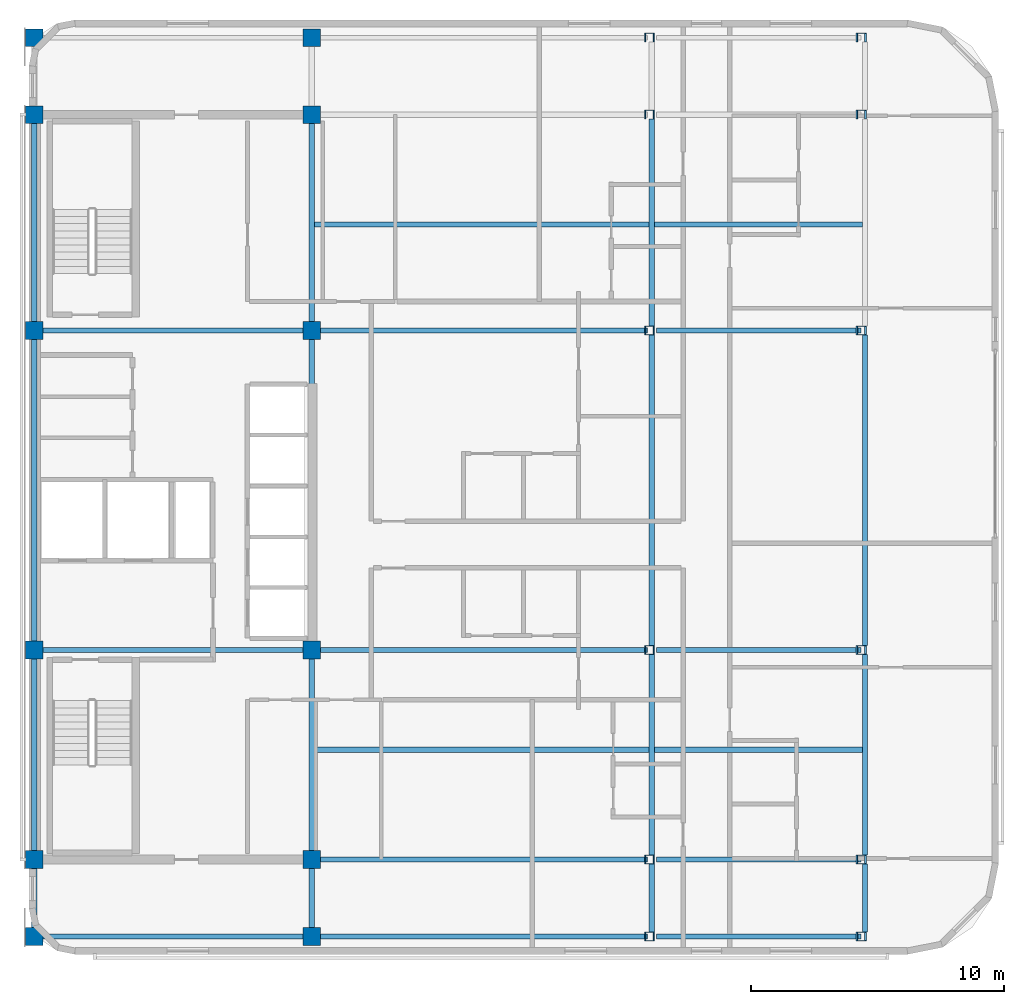
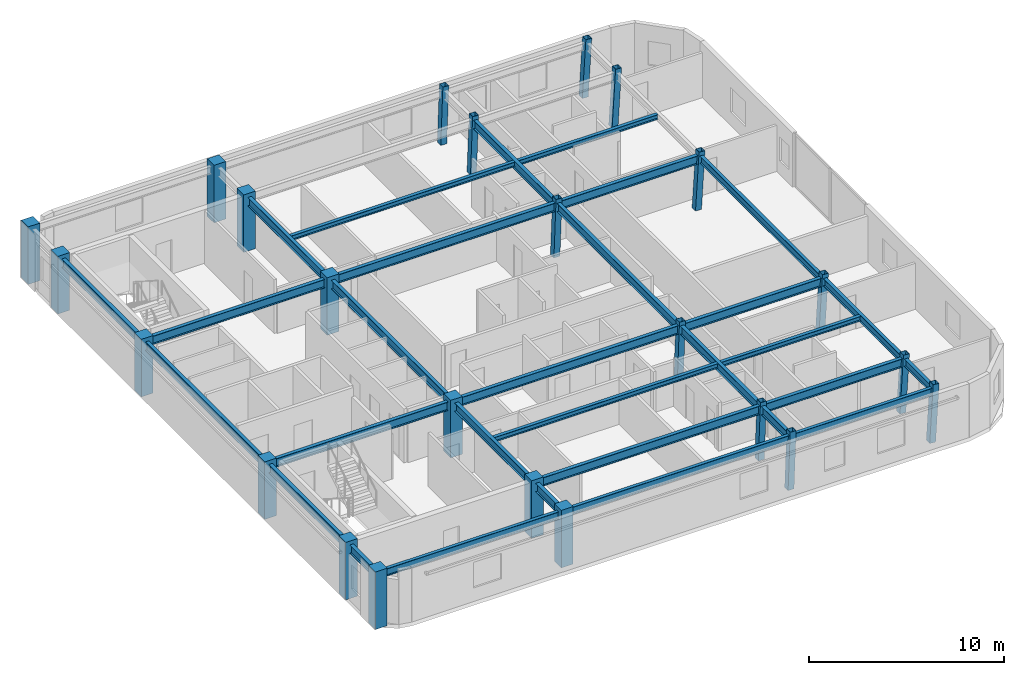
# One storey, part 1 of 10: 30 beams, 24 columns.
"""IFC4 building model written with IfcOpenShell, lengths in metres."""

from ifc_helpers import new_model, si_unit, direction, frame, origin, origin_2d, place, context, subcontext, project, spatial, rectangle, hollow_rectangle, i_section, extrude, material, material_profile, profile_set, type_object, element, save


model = new_model("IFC4")

# Units and contexts
model_context = context("Model", 3, precision=1e-05, world=origin(), true_north=direction((0.0, 1.0)))
body_context = subcontext(model_context, "Body", "Model", "MODEL_VIEW")
ifc_project = project(units=[si_unit("LENGTHUNIT", "METRE"), si_unit("AREAUNIT", "SQUARE_METRE"), si_unit("VOLUMEUNIT", "CUBIC_METRE"), si_unit("PLANEANGLEUNIT", "RADIAN"), si_unit("MASSUNIT", "GRAM", prefix="KILO")], contexts=[model_context])

# Site, building, storey
site_placement = place(None, origin())
site = spatial("IfcSite", under=ifc_project, at=site_placement, CompositionType="ELEMENT")
building_placement = place(site_placement, origin())
building = spatial("IfcBuilding", under=site, at=building_placement, Name="Ochreholt Gables", CompositionType="ELEMENT")
storey_placement = place(building_placement, frame((0.0, 0.0, 246.0)))
storey = spatial("IfcBuildingStorey", under=building, at=storey_placement, Name="L64", CompositionType="ELEMENT", Elevation=246.0)

# Columns
ifc_material_1 = material(Name="Steel CSA G40.21 350W", Category="steel")
ifc_material_profile_1 = material_profile(ifc_material_1, hollow_rectangle(XDim=0.35595703125, YDim=0.35595703125, WallThickness=0.01611328125, at=origin_2d()), Name="HSS356X356X16")
ifc_profile_set_1 = profile_set([ifc_material_profile_1], Name="Steel CSA G40.21 350W")
column_type_1 = type_object("IfcColumnType", Name="COL-HSS356-RAK", PredefinedType="COLUMN", material=ifc_profile_set_1)
for number, where, z_axis, x_axis, name in (
    (1, (48.5458984375, 9.25, 0.0), (0.035038826602, 0.0, 0.999385951788), (0.0, 1.0, 0.0), "L64 Column EMY2"),
    (2, (48.5458984375, 17.550048828125, 0.0), (0.035038826602, 0.0, 0.999385951788), (0.0, 1.0, 0.0), "L64 Column EMY3"),
    (3, (48.5458984375, 30.199951171875, 0.0), (0.035038826602, 0.0, 0.999385951788), (0.0, 1.0, 0.0), "L64 Column EMY4"),
    (4, (48.5458984375, 38.75, 0.0), (0.035038826602, 0.0, 0.999385951788), (0.0, 1.0, 0.0), "L64 Column EMY5"),
):
    element("IfcColumn", number, at=place(storey_placement, frame(where, z_axis=z_axis, x_axis=x_axis)), inside=storey, type_object=column_type_1, Name=name, PredefinedType="COLUMN", context=body_context, shape_type="SweptSolid", body=[
        extrude(hollow_rectangle(XDim=0.35595703125, YDim=0.35595703125, WallThickness=0.01611328125, at=origin_2d()), origin(), (0.0, 0.0, 1.0), 3.602294921875),
    ])
ifc_material_profile_2 = material_profile(ifc_material_1, hollow_rectangle(XDim=0.35595703125, YDim=0.35595703125, WallThickness=0.01611328125, at=origin_2d()), Name="HSS356X356X16")
ifc_profile_set_2 = profile_set([ifc_material_profile_2], Name="Steel CSA G40.21 350W")
column_type_2 = type_object("IfcColumnType", Name="COL-HSS356-RAKE", PredefinedType="COLUMN", material=ifc_profile_set_2)
for number, where, z_axis, x_axis, name in (
    (5, (48.5458984375, 6.199951171875, 0.0), (0.035038826602, 0.0, 0.999385951788), (0.0, 1.0, 0.0), "L64 Column EMY1"),
    (6, (48.5458984375, 41.800048828125, 0.0), (0.035038826602, 0.0, 0.999385951788), (0.0, 1.0, 0.0), "L64 Column EMY6"),
):
    element("IfcColumn", number, at=place(storey_placement, frame(where, z_axis=z_axis, x_axis=x_axis)), inside=storey, type_object=column_type_2, Name=name, PredefinedType="COLUMN", context=body_context, shape_type="SweptSolid", body=[
        extrude(hollow_rectangle(XDim=0.35595703125, YDim=0.35595703125, WallThickness=0.01611328125, at=origin_2d()), origin(), (0.0, 0.0, 1.0), 3.602294921875),
    ])
for number, where, z_axis, x_axis, name in (
    (7, (56.9248046875, 6.199951171875, 0.0), (0.057884606321, 0.0, 0.998323280481), (0.0, 1.0, 0.0), "L64 Column EEY1"),
    (8, (56.9248046875, 9.25, 0.0), (0.057884606321, 0.0, 0.998323280481), (0.0, 1.0, 0.0), "L64 Column EEY2"),
    (9, (56.9248046875, 17.550048828125, 0.0), (0.057884606321, 0.0, 0.998323280481), (0.0, 1.0, 0.0), "L64 Column EEY3"),
    (10, (56.9248046875, 30.199951171875, 0.0), (0.057884606321, 0.0, 0.998323280481), (0.0, 1.0, 0.0), "L64 Column EEY4"),
    (11, (56.9248046875, 38.75, 0.0), (0.057884606321, 0.0, 0.998323280481), (0.0, 1.0, 0.0), "L64 Column EEY5"),
    (12, (56.9248046875, 41.800048828125, 0.0), (0.057884606321, 0.0, 0.998323280481), (0.0, 1.0, 0.0), "L64 Column EEY6"),
):
    element("IfcColumn", number, at=place(storey_placement, frame(where, z_axis=z_axis, x_axis=x_axis)), inside=storey, type_object=column_type_2, Name=name, PredefinedType="COLUMN", context=body_context, shape_type="SweptSolid", body=[
        extrude(hollow_rectangle(XDim=0.35595703125, YDim=0.35595703125, WallThickness=0.01611328125, at=origin_2d()), origin(), (0.0, 0.0, 1.0), 3.606201171875),
    ])
ifc_material_2 = material(Name="Concrete 50 MPa", Category="concrete")
ifc_material_profile_3 = material_profile(ifc_material_2, rectangle(XDim=0.699951171875, YDim=0.699951171875, at=origin_2d()), Name="RC700X700")
ifc_profile_set_3 = profile_set([ifc_material_profile_3], Name="Concrete 50 MPa")
column_type_3 = type_object("IfcColumnType", Name="COL-RC700-EXT", PredefinedType="COLUMN", material=ifc_profile_set_3)
for number, where, z_axis, x_axis, name in (
    (13, (24.199951171875, 6.199951171875, 0.0), (0.0, 0.0, 1.0), (1.0, 0.0, 0.0), "L64 Column C1Y1"),
    (14, (24.199951171875, 9.25, 0.0), (0.0, 0.0, 1.0), (1.0, 0.0, 0.0), "L64 Column C1Y2"),
    (15, (24.199951171875, 17.550048828125, 0.0), (0.0, 0.0, 1.0), (1.0, 0.0, 0.0), "L64 Column C1Y3"),
    (16, (24.199951171875, 30.199951171875, 0.0), (0.0, 0.0, 1.0), (1.0, 0.0, 0.0), "L64 Column C1Y4"),
    (17, (24.199951171875, 38.75, 0.0), (0.0, 0.0, 1.0), (1.0, 0.0, 0.0), "L64 Column C1Y5"),
    (18, (24.199951171875, 41.800048828125, 0.0), (0.0, 0.0, 1.0), (1.0, 0.0, 0.0), "L64 Column C1Y6"),
    (19, (35.199951171875, 6.199951171875, 0.0), (0.0, 0.0, 1.0), (1.0, 0.0, 0.0), "L64 Column C2Y1"),
    (20, (35.199951171875, 41.800048828125, 0.0), (0.0, 0.0, 1.0), (1.0, 0.0, 0.0), "L64 Column C2Y6"),
):
    element("IfcColumn", number, at=place(storey_placement, frame(where, z_axis=z_axis, x_axis=x_axis)), inside=storey, type_object=column_type_3, Name=name, PredefinedType="COLUMN", context=body_context, shape_type="SweptSolid", body=[
        extrude(rectangle(XDim=0.699951171875, YDim=0.699951171875, at=origin_2d()), origin(), (0.0, 0.0, 1.0), 3.60009765625),
    ])
ifc_material_profile_4 = material_profile(ifc_material_2, rectangle(XDim=0.699951171875, YDim=0.699951171875, at=origin_2d()), Name="RC700X700")
ifc_profile_set_4 = profile_set([ifc_material_profile_4], Name="Concrete 50 MPa")
column_type_4 = type_object("IfcColumnType", Name="COL-RC700-INT", PredefinedType="COLUMN", material=ifc_profile_set_4)
for number, where, z_axis, x_axis, name in (
    (21, (35.199951171875, 9.25, 0.0), (0.0, 0.0, 1.0), (1.0, 0.0, 0.0), "L64 Column C2Y2"),
    (22, (35.199951171875, 17.550048828125, 0.0), (0.0, 0.0, 1.0), (1.0, 0.0, 0.0), "L64 Column C2Y3"),
    (23, (35.199951171875, 30.199951171875, 0.0), (0.0, 0.0, 1.0), (1.0, 0.0, 0.0), "L64 Column C2Y4"),
    (24, (35.199951171875, 38.75, 0.0), (0.0, 0.0, 1.0), (1.0, 0.0, 0.0), "L64 Column C2Y5"),
):
    element("IfcColumn", number, at=place(storey_placement, frame(where, z_axis=z_axis, x_axis=x_axis)), inside=storey, type_object=column_type_4, Name=name, PredefinedType="COLUMN", context=body_context, shape_type="SweptSolid", body=[
        extrude(rectangle(XDim=0.699951171875, YDim=0.699951171875, at=origin_2d()), origin(), (0.0, 0.0, 1.0), 3.60009765625),
    ])

# Beams
ifc_material_profile_5 = material_profile(ifc_material_1, i_section(OverallWidth=0.2109375, OverallDepth=0.5390625, WebThickness=0.01171875, FlangeThickness=0.018798828125, at=origin_2d()), Name="W530X109")
ifc_profile_set_5 = profile_set([ifc_material_profile_5], Name="Steel CSA G40.21 350W")
beam_type_1 = type_object("IfcBeamType", Name="BM-G-W530A", PredefinedType="BEAM", material=ifc_profile_set_5)
beam_1_placement = place(storey_placement, frame((35.549560546875, 9.25, 3.090576171875), z_axis=(1.0, 0.0, 0.0), x_axis=(0.0, 1.0, 0.0)))
element("IfcBeam", 25, at=beam_1_placement, inside=storey, type_object=beam_type_1, Name="L64 Beam TBG-L64-C2EM-Y2", PredefinedType="BEAM", context=body_context, shape_type="SweptSolid", body=[
    extrude(i_section(OverallWidth=0.2109375, OverallDepth=0.5390625, WebThickness=0.01171875, FlangeThickness=0.018798828125, at=origin_2d()), origin(), (0.0, 0.0, 1.0), 12.94482421875),
])
beam_2_placement = place(storey_placement, frame((48.849609375, 9.25, 3.090576171875), z_axis=(1.0, 0.0, 0.0), x_axis=(0.0, 1.0, 0.0)))
element("IfcBeam", 26, at=beam_2_placement, inside=storey, type_object=beam_type_1, Name="L64 Beam TBG-L64-EMEE-Y2", PredefinedType="BEAM", context=body_context, shape_type="SweptSolid", body=[
    extrude(i_section(OverallWidth=0.2109375, OverallDepth=0.5390625, WebThickness=0.01171875, FlangeThickness=0.018798828125, at=origin_2d()), origin(), (0.0, 0.0, 1.0), 8.1064453125),
])
beam_3_placement = place(storey_placement, frame((24.549560546875, 17.550048828125, 3.090576171875), z_axis=(1.0, 0.0, 0.0), x_axis=(0.0, 1.0, 0.0)))
element("IfcBeam", 27, at=beam_3_placement, inside=storey, type_object=beam_type_1, Name="L64 Beam TBG-L64-C1C2-Y3", PredefinedType="BEAM", context=body_context, shape_type="SweptSolid", body=[
    extrude(i_section(OverallWidth=0.2109375, OverallDepth=0.5390625, WebThickness=0.01171875, FlangeThickness=0.018798828125, at=origin_2d()), origin(), (0.0, 0.0, 1.0), 10.30078125),
])
beam_4_placement = place(storey_placement, frame((35.549560546875, 17.550048828125, 3.090576171875), z_axis=(1.0, 0.0, 0.0), x_axis=(0.0, 1.0, 0.0)))
element("IfcBeam", 28, at=beam_4_placement, inside=storey, type_object=beam_type_1, Name="L64 Beam TBG-L64-C2EM-Y3", PredefinedType="BEAM", context=body_context, shape_type="SweptSolid", body=[
    extrude(i_section(OverallWidth=0.2109375, OverallDepth=0.5390625, WebThickness=0.01171875, FlangeThickness=0.018798828125, at=origin_2d()), origin(), (0.0, 0.0, 1.0), 12.94482421875),
])
beam_5_placement = place(storey_placement, frame((48.849609375, 17.550048828125, 3.090576171875), z_axis=(1.0, 0.0, 0.0), x_axis=(0.0, 1.0, 0.0)))
element("IfcBeam", 29, at=beam_5_placement, inside=storey, type_object=beam_type_1, Name="L64 Beam TBG-L64-EMEE-Y3", PredefinedType="BEAM", context=body_context, shape_type="SweptSolid", body=[
    extrude(i_section(OverallWidth=0.2109375, OverallDepth=0.5390625, WebThickness=0.01171875, FlangeThickness=0.018798828125, at=origin_2d()), origin(), (0.0, 0.0, 1.0), 8.1064453125),
])
beam_6_placement = place(storey_placement, frame((24.549560546875, 30.199951171875, 3.090576171875), z_axis=(1.0, 0.0, 0.0), x_axis=(0.0, 1.0, 0.0)))
element("IfcBeam", 30, at=beam_6_placement, inside=storey, type_object=beam_type_1, Name="L64 Beam TBG-L64-C1C2-Y4", PredefinedType="BEAM", context=body_context, shape_type="SweptSolid", body=[
    extrude(i_section(OverallWidth=0.2109375, OverallDepth=0.5390625, WebThickness=0.01171875, FlangeThickness=0.018798828125, at=origin_2d()), origin(), (0.0, 0.0, 1.0), 10.30078125),
])
beam_7_placement = place(storey_placement, frame((35.549560546875, 30.199951171875, 3.090576171875), z_axis=(1.0, 0.0, 0.0), x_axis=(0.0, 1.0, 0.0)))
element("IfcBeam", 31, at=beam_7_placement, inside=storey, type_object=beam_type_1, Name="L64 Beam TBG-L64-C2EM-Y4", PredefinedType="BEAM", context=body_context, shape_type="SweptSolid", body=[
    extrude(i_section(OverallWidth=0.2109375, OverallDepth=0.5390625, WebThickness=0.01171875, FlangeThickness=0.018798828125, at=origin_2d()), origin(), (0.0, 0.0, 1.0), 12.94482421875),
])
beam_8_placement = place(storey_placement, frame((48.849609375, 30.199951171875, 3.090576171875), z_axis=(1.0, 0.0, 0.0), x_axis=(0.0, 1.0, 0.0)))
element("IfcBeam", 32, at=beam_8_placement, inside=storey, type_object=beam_type_1, Name="L64 Beam TBG-L64-EMEE-Y4", PredefinedType="BEAM", context=body_context, shape_type="SweptSolid", body=[
    extrude(i_section(OverallWidth=0.2109375, OverallDepth=0.5390625, WebThickness=0.01171875, FlangeThickness=0.018798828125, at=origin_2d()), origin(), (0.0, 0.0, 1.0), 8.1064453125),
])
beam_9_placement = place(storey_placement, frame((24.199951171875, 6.549560546875, 3.090576171875), z_axis=(0.0, 1.0, 0.0), x_axis=(-1.0, 0.0, 0.0)))
element("IfcBeam", 33, at=beam_9_placement, inside=storey, type_object=beam_type_1, Name="L64 Beam TBN-L64-C1-Y1Y2", PredefinedType="BEAM", context=body_context, shape_type="SweptSolid", body=[
    extrude(i_section(OverallWidth=0.2109375, OverallDepth=0.5390625, WebThickness=0.01171875, FlangeThickness=0.018798828125, at=origin_2d()), origin(), (0.0, 0.0, 1.0), 2.350830078125),
])
beam_10_placement = place(storey_placement, frame((24.199951171875, 9.599609375, 3.090576171875), z_axis=(0.0, 1.0, 0.0), x_axis=(-1.0, 0.0, 0.0)))
element("IfcBeam", 34, at=beam_10_placement, inside=storey, type_object=beam_type_1, Name="L64 Beam TBN-L64-C1-Y2Y3", PredefinedType="BEAM", context=body_context, shape_type="SweptSolid", body=[
    extrude(i_section(OverallWidth=0.2109375, OverallDepth=0.5390625, WebThickness=0.01171875, FlangeThickness=0.018798828125, at=origin_2d()), origin(), (0.0, 0.0, 1.0), 7.600830078125),
])
beam_11_placement = place(storey_placement, frame((24.199951171875, 17.899658203125, 3.090576171875), z_axis=(0.0, 1.0, 0.0), x_axis=(-1.0, 0.0, 0.0)))
element("IfcBeam", 35, at=beam_11_placement, inside=storey, type_object=beam_type_1, Name="L64 Beam TBN-L64-C1-Y3Y4", PredefinedType="BEAM", context=body_context, shape_type="SweptSolid", body=[
    extrude(i_section(OverallWidth=0.2109375, OverallDepth=0.5390625, WebThickness=0.01171875, FlangeThickness=0.018798828125, at=origin_2d()), origin(), (0.0, 0.0, 1.0), 11.95068359375),
])
beam_12_placement = place(storey_placement, frame((24.199951171875, 30.549560546875, 3.090576171875), z_axis=(0.0, 1.0, 0.0), x_axis=(-1.0, 0.0, 0.0)))
element("IfcBeam", 36, at=beam_12_placement, inside=storey, type_object=beam_type_1, Name="L64 Beam TBN-L64-C1-Y4Y5", PredefinedType="BEAM", context=body_context, shape_type="SweptSolid", body=[
    extrude(i_section(OverallWidth=0.2109375, OverallDepth=0.5390625, WebThickness=0.01171875, FlangeThickness=0.018798828125, at=origin_2d()), origin(), (0.0, 0.0, 1.0), 7.850830078125),
])
beam_13_placement = place(storey_placement, frame((35.199951171875, 6.549560546875, 3.090576171875), z_axis=(0.0, 1.0, 0.0), x_axis=(-1.0, 0.0, 0.0)))
element("IfcBeam", 37, at=beam_13_placement, inside=storey, type_object=beam_type_1, Name="L64 Beam TBN-L64-C2-Y1Y2", PredefinedType="BEAM", context=body_context, shape_type="SweptSolid", body=[
    extrude(i_section(OverallWidth=0.2109375, OverallDepth=0.5390625, WebThickness=0.01171875, FlangeThickness=0.018798828125, at=origin_2d()), origin(), (0.0, 0.0, 1.0), 2.350830078125),
])
beam_14_placement = place(storey_placement, frame((35.199951171875, 9.599609375, 3.090576171875), z_axis=(0.0, 1.0, 0.0), x_axis=(-1.0, 0.0, 0.0)))
element("IfcBeam", 38, at=beam_14_placement, inside=storey, type_object=beam_type_1, Name="L64 Beam TBN-L64-C2-Y2Y3", PredefinedType="BEAM", context=body_context, shape_type="SweptSolid", body=[
    extrude(i_section(OverallWidth=0.2109375, OverallDepth=0.5390625, WebThickness=0.01171875, FlangeThickness=0.018798828125, at=origin_2d()), origin(), (0.0, 0.0, 1.0), 7.600830078125),
])
beam_15_placement = place(storey_placement, frame((35.199951171875, 17.899658203125, 3.090576171875), z_axis=(0.0, 1.0, 0.0), x_axis=(-1.0, 0.0, 0.0)))
element("IfcBeam", 39, at=beam_15_placement, inside=storey, type_object=beam_type_1, Name="L64 Beam TBN-L64-C2-Y3Y4", PredefinedType="BEAM", context=body_context, shape_type="SweptSolid", body=[
    extrude(i_section(OverallWidth=0.2109375, OverallDepth=0.5390625, WebThickness=0.01171875, FlangeThickness=0.018798828125, at=origin_2d()), origin(), (0.0, 0.0, 1.0), 11.95068359375),
])
beam_16_placement = place(storey_placement, frame((35.199951171875, 30.549560546875, 3.090576171875), z_axis=(0.0, 1.0, 0.0), x_axis=(-1.0, 0.0, 0.0)))
element("IfcBeam", 40, at=beam_16_placement, inside=storey, type_object=beam_type_1, Name="L64 Beam TBN-L64-C2-Y4Y5", PredefinedType="BEAM", context=body_context, shape_type="SweptSolid", body=[
    extrude(i_section(OverallWidth=0.2109375, OverallDepth=0.5390625, WebThickness=0.01171875, FlangeThickness=0.018798828125, at=origin_2d()), origin(), (0.0, 0.0, 1.0), 7.850830078125),
])
beam_17_placement = place(storey_placement, frame((48.65478515625, 6.377685546875, 3.090576171875), z_axis=(0.0, 1.0, 0.0), x_axis=(-1.0, 0.0, 0.0)))
element("IfcBeam", 41, at=beam_17_placement, inside=storey, type_object=beam_type_1, Name="L64 Beam TBN-L64-EM-Y1Y2", PredefinedType="BEAM", context=body_context, shape_type="SweptSolid", body=[
    extrude(i_section(OverallWidth=0.2109375, OverallDepth=0.5390625, WebThickness=0.01171875, FlangeThickness=0.018798828125, at=origin_2d()), origin(), (0.0, 0.0, 1.0), 2.69482421875),
])
beam_18_placement = place(storey_placement, frame((48.65478515625, 9.427490234375, 3.090576171875), z_axis=(0.0, 1.0, 0.0), x_axis=(-1.0, 0.0, 0.0)))
element("IfcBeam", 42, at=beam_18_placement, inside=storey, type_object=beam_type_1, Name="L64 Beam TBN-L64-EM-Y2Y3", PredefinedType="BEAM", context=body_context, shape_type="SweptSolid", body=[
    extrude(i_section(OverallWidth=0.2109375, OverallDepth=0.5390625, WebThickness=0.01171875, FlangeThickness=0.018798828125, at=origin_2d()), origin(), (0.0, 0.0, 1.0), 7.94482421875),
])
beam_19_placement = place(storey_placement, frame((48.65478515625, 17.7275390625, 3.090576171875), z_axis=(0.0, 1.0, 0.0), x_axis=(-1.0, 0.0, 0.0)))
element("IfcBeam", 43, at=beam_19_placement, inside=storey, type_object=beam_type_1, Name="L64 Beam TBN-L64-EM-Y3Y4", PredefinedType="BEAM", context=body_context, shape_type="SweptSolid", body=[
    extrude(i_section(OverallWidth=0.2109375, OverallDepth=0.5390625, WebThickness=0.01171875, FlangeThickness=0.018798828125, at=origin_2d()), origin(), (0.0, 0.0, 1.0), 12.294921875),
])
beam_20_placement = place(storey_placement, frame((48.65478515625, 30.377685546875, 3.090576171875), z_axis=(0.0, 1.0, 0.0), x_axis=(-1.0, 0.0, 0.0)))
element("IfcBeam", 44, at=beam_20_placement, inside=storey, type_object=beam_type_1, Name="L64 Beam TBN-L64-EM-Y4Y5", PredefinedType="BEAM", context=body_context, shape_type="SweptSolid", body=[
    extrude(i_section(OverallWidth=0.2109375, OverallDepth=0.5390625, WebThickness=0.01171875, FlangeThickness=0.018798828125, at=origin_2d()), origin(), (0.0, 0.0, 1.0), 8.19482421875),
])
ifc_material_profile_6 = material_profile(ifc_material_1, i_section(OverallWidth=0.202880859375, OverallDepth=0.302978515625, WebThickness=0.007568359375, FlangeThickness=0.01318359375, at=origin_2d()), Name="W310X60")
ifc_profile_set_6 = profile_set([ifc_material_profile_6], Name="Steel CSA G40.21 350W")
beam_type_2 = type_object("IfcBeamType", Name="BM-J-W310", PredefinedType="JOIST", material=ifc_profile_set_6)
beam_21_placement = place(storey_placement, frame((35.30517578125, 13.60009765625, 3.20849609375), z_axis=(1.0, 0.0, 0.0), x_axis=(0.0, 1.0, 0.0)))
element("IfcBeam", 45, at=beam_21_placement, inside=storey, type_object=beam_type_2, Name="L64 Beam TBJ-L64-J1-C2EM", PredefinedType="JOIST", context=body_context, shape_type="SweptSolid", body=[
    extrude(i_section(OverallWidth=0.202880859375, OverallDepth=0.302978515625, WebThickness=0.007568359375, FlangeThickness=0.01318359375, at=origin_2d()), origin(), (0.0, 0.0, 1.0), 13.24462890625),
])
beam_22_placement = place(storey_placement, frame((48.760009765625, 13.60009765625, 3.20849609375), z_axis=(1.0, 0.0, 0.0), x_axis=(0.0, 1.0, 0.0)))
element("IfcBeam", 46, at=beam_22_placement, inside=storey, type_object=beam_type_2, Name="L64 Beam TBJ-L64-J1-EMEE", PredefinedType="JOIST", context=body_context, shape_type="SweptSolid", body=[
    extrude(i_section(OverallWidth=0.202880859375, OverallDepth=0.302978515625, WebThickness=0.007568359375, FlangeThickness=0.01318359375, at=origin_2d()), origin(), (0.0, 0.0, 1.0), 8.24951171875),
])
beam_23_placement = place(storey_placement, frame((35.30517578125, 34.39990234375, 3.20849609375), z_axis=(1.0, 0.0, 0.0), x_axis=(0.0, 1.0, 0.0)))
element("IfcBeam", 47, at=beam_23_placement, inside=storey, type_object=beam_type_2, Name="L64 Beam TBJ-L64-J2-C2EM", PredefinedType="JOIST", context=body_context, shape_type="SweptSolid", body=[
    extrude(i_section(OverallWidth=0.202880859375, OverallDepth=0.302978515625, WebThickness=0.007568359375, FlangeThickness=0.01318359375, at=origin_2d()), origin(), (0.0, 0.0, 1.0), 13.24462890625),
])
beam_24_placement = place(storey_placement, frame((48.760009765625, 34.39990234375, 3.20849609375), z_axis=(1.0, 0.0, 0.0), x_axis=(0.0, 1.0, 0.0)))
element("IfcBeam", 48, at=beam_24_placement, inside=storey, type_object=beam_type_2, Name="L64 Beam TBJ-L64-J2-EMEE", PredefinedType="JOIST", context=body_context, shape_type="SweptSolid", body=[
    extrude(i_section(OverallWidth=0.202880859375, OverallDepth=0.302978515625, WebThickness=0.007568359375, FlangeThickness=0.01318359375, at=origin_2d()), origin(), (0.0, 0.0, 1.0), 8.24951171875),
])
ifc_material_profile_7 = material_profile(ifc_material_1, i_section(OverallWidth=0.19189453125, OverallDepth=0.462890625, WebThickness=0.010498046875, FlangeThickness=0.017578125, at=origin_2d()), Name="W460X89")
ifc_profile_set_7 = profile_set([ifc_material_profile_7], Name="Steel CSA G40.21 350W")
beam_type_3 = type_object("IfcBeamType", Name="BM-SP-W460A", PredefinedType="SPANDREL", material=ifc_profile_set_7)
beam_25_placement = place(storey_placement, frame((24.549560546875, 6.199951171875, 3.12841796875), z_axis=(1.0, 0.0, 0.0), x_axis=(0.0, 1.0, 0.0)))
element("IfcBeam", 49, at=beam_25_placement, inside=storey, type_object=beam_type_3, Name="L64 Beam TBG-L64-C1C2-Y1", PredefinedType="SPANDREL", context=body_context, shape_type="SweptSolid", body=[
    extrude(i_section(OverallWidth=0.19189453125, OverallDepth=0.462890625, WebThickness=0.010498046875, FlangeThickness=0.017578125, at=origin_2d()), origin(), (0.0, 0.0, 1.0), 10.30078125),
])
beam_26_placement = place(storey_placement, frame((35.549560546875, 6.199951171875, 3.12841796875), z_axis=(1.0, 0.0, 0.0), x_axis=(0.0, 1.0, 0.0)))
element("IfcBeam", 50, at=beam_26_placement, inside=storey, type_object=beam_type_3, Name="L64 Beam TBG-L64-C2EM-Y1", PredefinedType="SPANDREL", context=body_context, shape_type="SweptSolid", body=[
    extrude(i_section(OverallWidth=0.19189453125, OverallDepth=0.462890625, WebThickness=0.010498046875, FlangeThickness=0.017578125, at=origin_2d()), origin(), (0.0, 0.0, 1.0), 12.94482421875),
])
beam_27_placement = place(storey_placement, frame((48.849609375, 6.199951171875, 3.12841796875), z_axis=(1.0, 0.0, 0.0), x_axis=(0.0, 1.0, 0.0)))
element("IfcBeam", 51, at=beam_27_placement, inside=storey, type_object=beam_type_3, Name="L64 Beam TBG-L64-EMEE-Y1", PredefinedType="SPANDREL", context=body_context, shape_type="SweptSolid", body=[
    extrude(i_section(OverallWidth=0.19189453125, OverallDepth=0.462890625, WebThickness=0.010498046875, FlangeThickness=0.017578125, at=origin_2d()), origin(), (0.0, 0.0, 1.0), 8.1064453125),
])
beam_28_placement = place(storey_placement, frame((57.105224609375, 6.377685546875, 3.12841796875), z_axis=(0.0, 1.0, 0.0), x_axis=(-1.0, 0.0, 0.0)))
element("IfcBeam", 52, at=beam_28_placement, inside=storey, type_object=beam_type_3, Name="L64 Beam TBN-L64-EE-Y1Y2", PredefinedType="SPANDREL", context=body_context, shape_type="SweptSolid", body=[
    extrude(i_section(OverallWidth=0.19189453125, OverallDepth=0.462890625, WebThickness=0.010498046875, FlangeThickness=0.017578125, at=origin_2d()), origin(), (0.0, 0.0, 1.0), 2.69482421875),
])
beam_29_placement = place(storey_placement, frame((57.105224609375, 9.427490234375, 3.12841796875), z_axis=(0.0, 1.0, 0.0), x_axis=(-1.0, 0.0, 0.0)))
element("IfcBeam", 53, at=beam_29_placement, inside=storey, type_object=beam_type_3, Name="L64 Beam TBN-L64-EE-Y2Y3", PredefinedType="SPANDREL", context=body_context, shape_type="SweptSolid", body=[
    extrude(i_section(OverallWidth=0.19189453125, OverallDepth=0.462890625, WebThickness=0.010498046875, FlangeThickness=0.017578125, at=origin_2d()), origin(), (0.0, 0.0, 1.0), 7.94482421875),
])
beam_30_placement = place(storey_placement, frame((57.105224609375, 17.7275390625, 3.12841796875), z_axis=(0.0, 1.0, 0.0), x_axis=(-1.0, 0.0, 0.0)))
element("IfcBeam", 54, at=beam_30_placement, inside=storey, type_object=beam_type_3, Name="L64 Beam TBN-L64-EE-Y3Y4", PredefinedType="SPANDREL", context=body_context, shape_type="SweptSolid", body=[
    extrude(i_section(OverallWidth=0.19189453125, OverallDepth=0.462890625, WebThickness=0.010498046875, FlangeThickness=0.017578125, at=origin_2d()), origin(), (0.0, 0.0, 1.0), 12.294921875),
])

save(model, "model.ifc")
